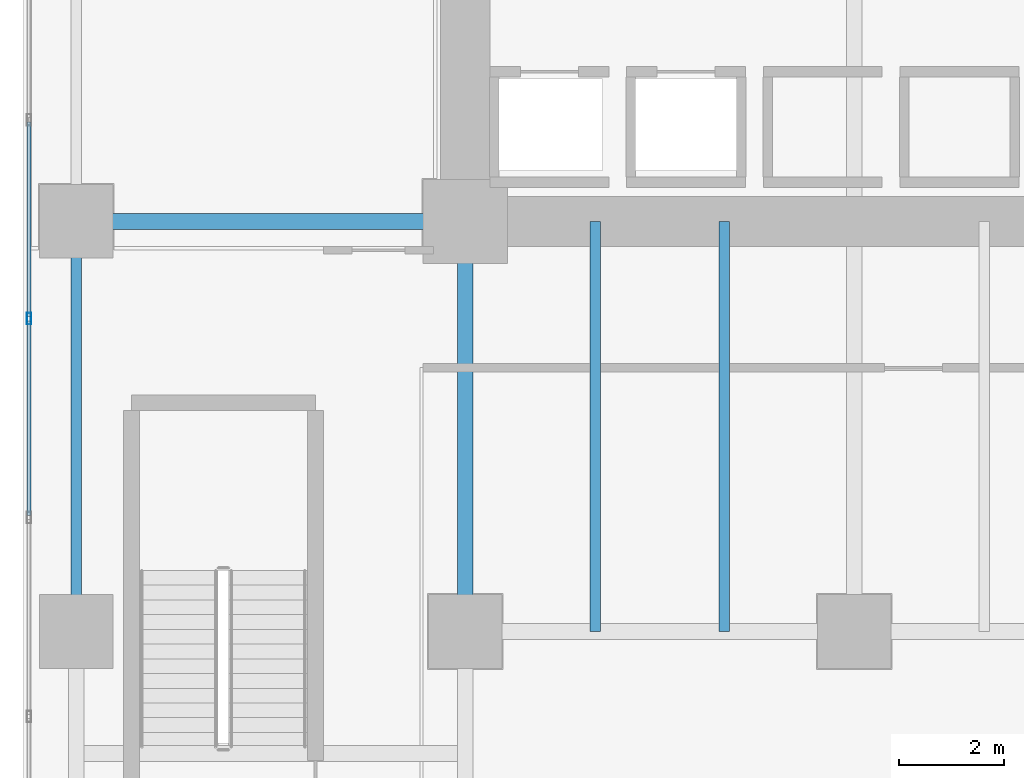
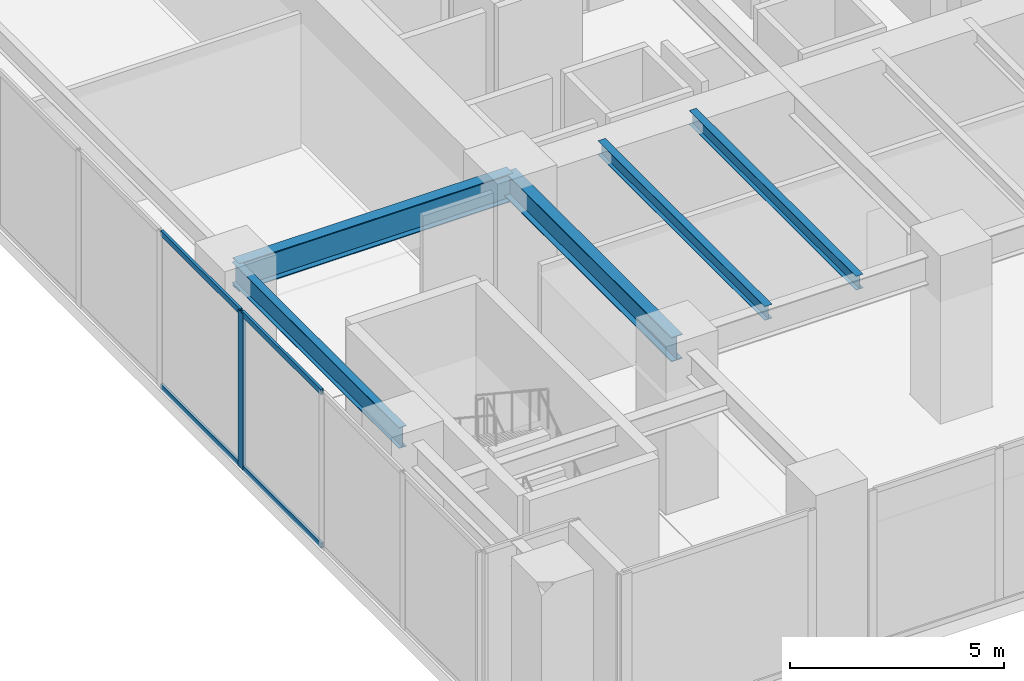
# One storey, part 3 of 39: 5 beams, 5 members, 1 element without a shape of its own.
"""IFC4 building model written with IfcOpenShell, lengths in metres."""

from ifc_helpers import new_model, si_unit, direction, frame, origin, origin_2d, place, context, subcontext, project, spatial, hollow_rectangle, i_section, extrude, source, transform, mapped, material, layer, layer_set, material_profile, profile_set, type_object, type_shapes, element, aggregate, save


model = new_model("IFC4")

# Units and contexts
model_context = context("Model", 3, precision=1e-05, world=origin(), true_north=direction((0.0, 1.0)))
body_context = subcontext(model_context, "Body", "Model", "MODEL_VIEW")
ifc_project = project(units=[si_unit("LENGTHUNIT", "METRE"), si_unit("AREAUNIT", "SQUARE_METRE"), si_unit("VOLUMEUNIT", "CUBIC_METRE"), si_unit("PLANEANGLEUNIT", "RADIAN"), si_unit("MASSUNIT", "GRAM", prefix="KILO")], contexts=[model_context])

# Site, building, storey
site_placement = place(None, origin())
site = spatial("IfcSite", under=ifc_project, at=site_placement, CompositionType="ELEMENT")
building_placement = place(site_placement, origin())
building = spatial("IfcBuilding", under=site, at=building_placement, Name="Haelvirn Gate Laboratories", CompositionType="ELEMENT")
storey_placement = place(building_placement, frame((0.0, 0.0, 15.0)))
storey = spatial("IfcBuildingStorey", under=building, at=storey_placement, Name="L04", CompositionType="ELEMENT", Elevation=15.0)

# Beams
ifc_material_1 = material(Name="Steel SM420", Category="steel")
ifc_material_profile_1 = material_profile(ifc_material_1, i_section(OverallWidth=0.300048828125, OverallDepth=0.800048828125, WebThickness=0.013916015625, FlangeThickness=0.02587890625, at=origin_2d()), Name="H-800x300x14x26")
ifc_profile_set_1 = profile_set([ifc_material_profile_1], Name="Steel SM420")
beam_type_1 = type_object("IfcBeamType", Name="BM-G-800", PredefinedType="BEAM", material=ifc_profile_set_1)
shared_shape_1 = source(origin(), body_context, "Body", "SweptSolid", [
    extrude(i_section(OverallWidth=0.300048828125, OverallDepth=0.800048828125, WebThickness=0.013916015625, FlangeThickness=0.02587890625, at=origin_2d()), origin(), (0.0, 0.0, 1.0), 7.39990234375),
])
type_shapes(beam_type_1, [shared_shape_1])
beam_1_placement = place(storey_placement, frame((0.0, 14.800048828125, 4.050048828125), z_axis=(1.0, 0.0, 0.0), x_axis=(0.0, 1.0, 0.0)))
element("IfcBeam", 1, at=beam_1_placement, inside=storey, type_object=beam_type_1, Name="L04 Primary Girder Y14.8 (0.0-7.4)", PredefinedType="BEAM", context=body_context, shape_type="MappedRepresentation", body=[
    mapped(shared_shape_1, transform((0.0, 0.0, 0.0), scale=1.0)),
])
ifc_material_2 = material(Name="Steel SM355", Category="steel")
ifc_material_profile_2 = material_profile(ifc_material_2, i_section(OverallWidth=0.199951171875, OverallDepth=0.60009765625, WebThickness=0.010986328125, FlangeThickness=0.01708984375, at=origin_2d()), Name="H-600x200x11x17")
ifc_profile_set_2 = profile_set([ifc_material_profile_2], Name="Steel SM355")
beam_type_2 = type_object("IfcBeamType", Name="BM-SP-600", PredefinedType="SPANDREL", material=ifc_profile_set_2)
shared_shape_2 = source(origin(), body_context, "Body", "SweptSolid", [
    extrude(i_section(OverallWidth=0.199951171875, OverallDepth=0.60009765625, WebThickness=0.010986328125, FlangeThickness=0.01708984375, at=origin_2d()), origin(), (0.0, 0.0, 1.0), 7.800048828125),
])
type_shapes(beam_type_2, [shared_shape_2])
beam_2_placement = place(storey_placement, frame((0.0, 7.0, 4.14990234375), z_axis=(0.0, 1.0, 0.0), x_axis=(-1.0, 0.0, 0.0)))
element("IfcBeam", 2, at=beam_2_placement, inside=storey, type_object=beam_type_2, Name="L04 Perimeter Spandrel X0.0 (7.0-14.8)", PredefinedType="SPANDREL", context=body_context, shape_type="MappedRepresentation", body=[
    mapped(shared_shape_2, transform((0.0, 0.0, 0.0), scale=1.0)),
])
ifc_material_profile_3 = material_profile(ifc_material_2, i_section(OverallWidth=0.199951171875, OverallDepth=0.39990234375, WebThickness=0.008056640625, FlangeThickness=0.012939453125, at=origin_2d()), Name="H-400x200x8x13")
ifc_profile_set_3 = profile_set([ifc_material_profile_3], Name="Steel SM355")
beam_type_3 = type_object("IfcBeamType", Name="BM-J-400", PredefinedType="JOIST", material=ifc_profile_set_3)
shared_shape_3 = source(origin(), body_context, "Body", "SweptSolid", [
    extrude(i_section(OverallWidth=0.199951171875, OverallDepth=0.39990234375, WebThickness=0.008056640625, FlangeThickness=0.012939453125, at=origin_2d()), origin(), (0.0, 0.0, 1.0), 7.800048828125),
])
type_shapes(beam_type_3, [shared_shape_3])
for number, where, z_axis, x_axis, name in (
    (3, (9.8701171875, 7.0, 4.25), (0.0, 1.0, 0.0), (-1.0, 0.0, 0.0), "L04 Composite Lab Joist South X9.87"),
    (4, (12.330078125, 7.0, 4.25), (0.0, 1.0, 0.0), (-1.0, 0.0, 0.0), "L04 Composite Lab Joist South X12.33"),
):
    element("IfcBeam", number, at=place(storey_placement, frame(where, z_axis=z_axis, x_axis=x_axis)), inside=storey, type_object=beam_type_3, Name=name, PredefinedType="JOIST", context=body_context, shape_type="MappedRepresentation", body=[
        mapped(shared_shape_3, transform((0.0, 0.0, 0.0), scale=1.0)),
    ])
ifc_material_profile_4 = material_profile(ifc_material_2, i_section(OverallWidth=0.300048828125, OverallDepth=0.699951171875, WebThickness=0.012939453125, FlangeThickness=0.02392578125, at=origin_2d()), Name="H-700x300x13x24")
ifc_profile_set_4 = profile_set([ifc_material_profile_4], Name="Steel SM355")
beam_type_4 = type_object("IfcBeamType", Name="BM-G-700", PredefinedType="BEAM", material=ifc_profile_set_4)
shared_shape_4 = source(origin(), body_context, "Body", "SweptSolid", [
    extrude(i_section(OverallWidth=0.300048828125, OverallDepth=0.699951171875, WebThickness=0.012939453125, FlangeThickness=0.02392578125, at=origin_2d()), origin(), (0.0, 0.0, 1.0), 7.800048828125),
])
type_shapes(beam_type_4, [shared_shape_4])
beam_3_placement = place(storey_placement, frame((7.39990234375, 7.0, 4.10009765625), z_axis=(0.0, 1.0, 0.0), x_axis=(-1.0, 0.0, 0.0)))
element("IfcBeam", 5, at=beam_3_placement, inside=storey, type_object=beam_type_4, Name="L04 Frame Girder X7.4 (7.0-14.8)", PredefinedType="BEAM", context=body_context, shape_type="MappedRepresentation", body=[
    mapped(shared_shape_4, transform((0.0, 0.0, 0.0), scale=1.0)),
])

# Curtain wall, members
ifc_material_3 = material(Name="Anodised bronze unitised aluminium & triple low-E glass", Category="aluminium")
ifc_layer = layer(ifc_material_3, 0.18798828125, Name="CW-SYS-1")
ifc_layer_set = layer_set([ifc_layer], Name="Anodised bronze unitised aluminium & triple low-E glass")
curtain_wall_type = type_object("IfcCurtainWallType", Name="CW-SYS-1", PredefinedType="NOTDEFINED", material=ifc_layer_set)
curtain_wall_placement = place(storey_placement, origin())
curtain_wall = element("IfcCurtainWall", 6, at=curtain_wall_placement, inside=storey, type_object=curtain_wall_type, Name="L04 Unitised Curtain Wall CW-L04-P0-E05", PredefinedType="NOTDEFINED")
ifc_material_4 = material(Name="Extruded aluminium 6063-T6 (anodised bronze)", Category="aluminium")
ifc_material_profile_5 = material_profile(ifc_material_4, hollow_rectangle(XDim=0.070068359375, YDim=0.159912109375, WallThickness=0.0048828125, at=origin_2d()), Name="CWT-160x70x5")
ifc_profile_set_5 = profile_set([ifc_material_profile_5], Name="Extruded aluminium 6063-T6 (anodised bronze)")
member_type_1 = type_object("IfcMemberType", Name="CWT-T160", PredefinedType="USERDEFINED", material=ifc_profile_set_5)
shared_shape_5 = source(origin(), body_context, "Body", "SweptSolid", [
    extrude(hollow_rectangle(XDim=0.070068359375, YDim=0.159912109375, WallThickness=0.0048828125, at=origin_2d()), origin(), (0.0, 0.0, 1.0), 3.703369140625),
])
member_1_placement = place(storey_placement, frame((-0.89990234375, 16.693359375, 0.034912109375), z_axis=(0.0, -1.0, 0.0), x_axis=(1.0, 0.0, 0.0)))
member_1 = element("IfcMember", 7, at=member_1_placement, type_object=member_type_1, Name="CW1 transom 9.1", ObjectType="TRANSOM", PredefinedType="USERDEFINED", context=body_context, shape_type="MappedRepresentation", body=[
    mapped(shared_shape_5, transform((0.0, 0.0, 0.0), scale=1.0)),
])
member_2_placement = place(storey_placement, frame((-0.89990234375, 16.693359375, 4.4150390625), z_axis=(0.0, -1.0, 0.0), x_axis=(1.0, 0.0, 0.0)))
member_2 = element("IfcMember", 8, at=member_2_placement, type_object=member_type_1, Name="CW1 transom 9.2", ObjectType="TRANSOM", PredefinedType="USERDEFINED", context=body_context, shape_type="MappedRepresentation", body=[
    mapped(shared_shape_5, transform((0.0, 0.0, 0.0), scale=1.0)),
])
shared_shape_6 = source(origin(), body_context, "Body", "SweptSolid", [
    extrude(hollow_rectangle(XDim=0.070068359375, YDim=0.159912109375, WallThickness=0.0048828125, at=origin_2d()), origin(), (0.0, 0.0, 1.0), 3.703125),
])
type_shapes(member_type_1, [shared_shape_5, shared_shape_6])
member_3_placement = place(storey_placement, frame((-0.89990234375, 12.909912109375, 0.034912109375), z_axis=(0.0, -1.0, 0.0), x_axis=(1.0, 0.0, 0.0)))
member_3 = element("IfcMember", 9, at=member_3_placement, type_object=member_type_1, Name="CW1 transom 10.1", ObjectType="TRANSOM", PredefinedType="USERDEFINED", context=body_context, shape_type="MappedRepresentation", body=[
    mapped(shared_shape_6, transform((0.0, 0.0, 0.0), scale=1.0)),
])
member_4_placement = place(storey_placement, frame((-0.89990234375, 12.909912109375, 4.4150390625), z_axis=(0.0, -1.0, 0.0), x_axis=(1.0, 0.0, 0.0)))
member_4 = element("IfcMember", 10, at=member_4_placement, type_object=member_type_1, Name="CW1 transom 10.2", ObjectType="TRANSOM", PredefinedType="USERDEFINED", context=body_context, shape_type="MappedRepresentation", body=[
    mapped(shared_shape_6, transform((0.0, 0.0, 0.0), scale=1.0)),
])
ifc_material_profile_6 = material_profile(ifc_material_4, hollow_rectangle(XDim=0.080078125, YDim=0.219970703125, WallThickness=0.006103515625, at=origin_2d()), Name="CWM-220x80x6")
ifc_profile_set_6 = profile_set([ifc_material_profile_6], Name="Extruded aluminium 6063-T6 (anodised bronze)")
member_type_2 = type_object("IfcMemberType", Name="CWM-T220", PredefinedType="MULLION", material=ifc_profile_set_6)
shared_shape_7 = source(origin(), body_context, "Body", "SweptSolid", [
    extrude(hollow_rectangle(XDim=0.080078125, YDim=0.219970703125, WallThickness=0.006103515625, at=origin_2d()), origin(), (0.0, 0.0, 1.0), 4.449951171875),
])
type_shapes(member_type_2, [shared_shape_7])
member_5_placement = place(storey_placement, frame((-0.89990234375, 12.949951171875, 0.0), z_axis=(0.0, 0.0, 1.0), x_axis=(1.0, 0.0, 0.0)))
member_5 = element("IfcMember", 11, at=member_5_placement, type_object=member_type_2, Name="CW1 mullion 10", PredefinedType="MULLION", context=body_context, shape_type="MappedRepresentation", body=[
    mapped(shared_shape_7, transform((0.0, 0.0, 0.0), scale=1.0)),
])
aggregate(curtain_wall, [member_5, member_1, member_2, member_3, member_4])

save(model, "model.ifc")
